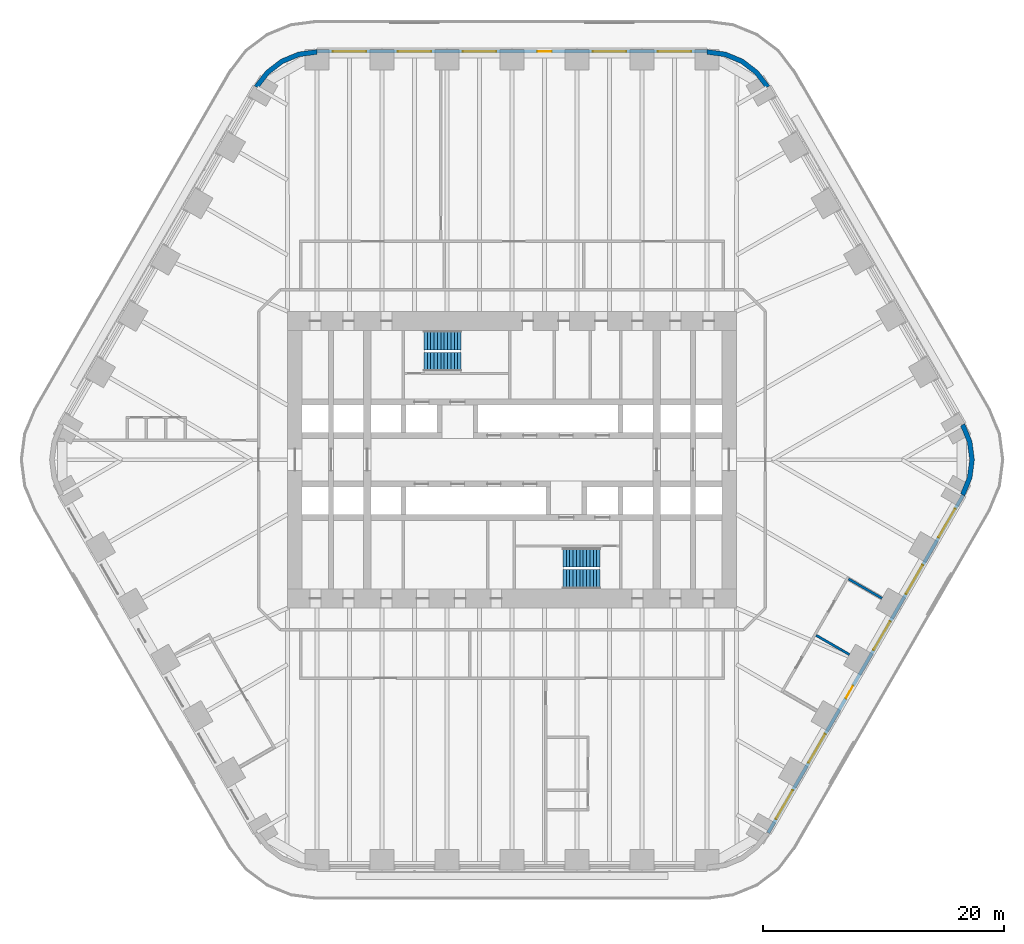
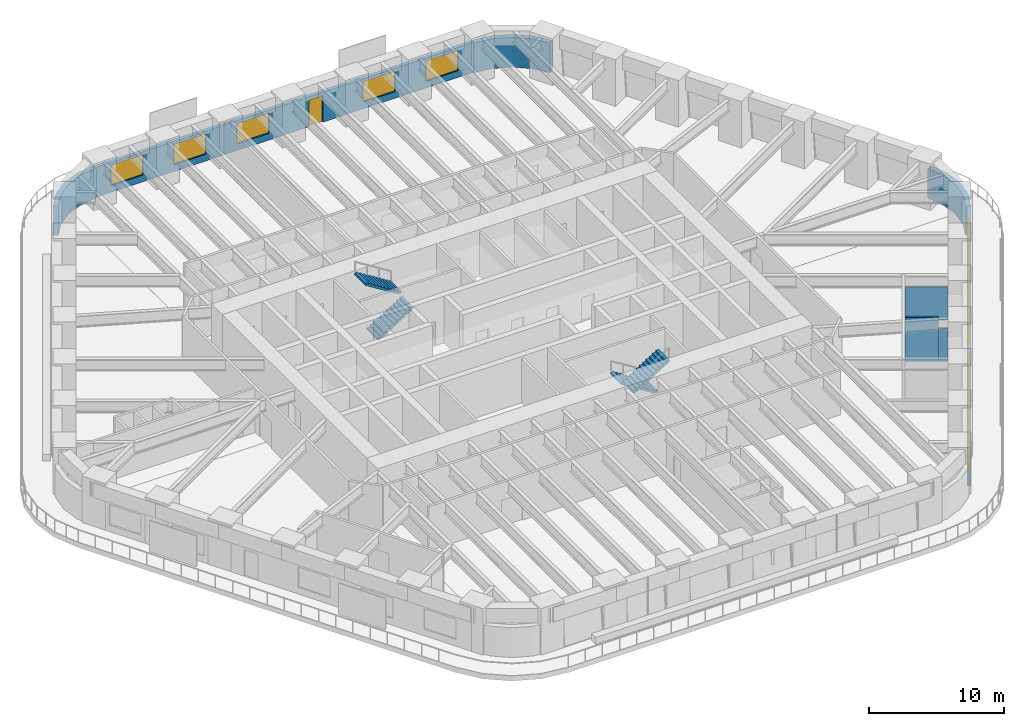
# One storey, part 20 of 23: 10 windows, 8 walls, 4 stair flights, 2 doors, 12 openings, 2 elements without a shape of their own.
"""IFC4 building model written with IfcOpenShell, lengths in metres."""

from ifc_helpers import new_model, si_unit, direction, frame, frame_2d, origin, place, context, subcontext, project, spatial, polyline, rectangle, outline, extrude, material, layer, layer_set, type_object, element, fill, aggregate, save


model = new_model("IFC4")

# Units and contexts
model_context = context("Model", 3, precision=1e-05, world=origin(), true_north=direction((0.0, 1.0)))
body_context = subcontext(model_context, "Body", "Model", "MODEL_VIEW")
ifc_project = project(units=[si_unit("LENGTHUNIT", "METRE"), si_unit("AREAUNIT", "SQUARE_METRE"), si_unit("VOLUMEUNIT", "CUBIC_METRE"), si_unit("PLANEANGLEUNIT", "RADIAN"), si_unit("MASSUNIT", "GRAM", prefix="KILO")], contexts=[model_context])

# Site, building, storey
site_placement = place(None, origin())
site = spatial("IfcSite", under=ifc_project, at=site_placement, CompositionType="ELEMENT")
building_placement = place(site_placement, origin())
building = spatial("IfcBuilding", under=site, at=building_placement, Name="Tarfa Lantern Tower", CompositionType="ELEMENT")
storey_placement = place(building_placement, frame((0.0, 0.0, 82.300048828125)))
storey = spatial("IfcBuildingStorey", under=building, at=storey_placement, Name="L18", CompositionType="ELEMENT", Elevation=82.300048828125)

# Wall, openings, door, windows
ifc_material_1 = material(Name="Limestone cladding on blockwork", Category="masonry")
ifc_layer_1 = layer(ifc_material_1, 0.300048828125)
ifc_layer_set_1 = layer_set([ifc_layer_1], Name="EW1 STONE-CLAD WALL 300")
wall_type_1 = type_object("IfcWallType", Name="EW1 STONE-CLAD WALL 300", PredefinedType="SOLIDWALL", material=ifc_layer_set_1)
wall_1_placement = place(storey_placement, frame((16.165771484375, 33.85009765625, 0.0), z_axis=(0.0, 0.0, 1.0), x_axis=(-1.0, 0.0, 0.0)))
wall_1 = element("IfcWall", 1, at=wall_1_placement, inside=storey, type_object=wall_type_1, Name="Stone wall N", PredefinedType="SOLIDWALL", context=body_context, shape_type="SweptSolid", body=[
    extrude(rectangle(XDim=32.33154296875, YDim=0.300048828125, at=frame_2d((16.165771484375, 0.0))), origin(), (0.0, 0.0, 1.0), 2.699951171875),
])
opening_1_placement = place(wall_1_placement, frame((1.3193359375, 0.0, 0.60009765625)))
opening_1 = element("IfcOpeningElement", 2, at=opening_1_placement, cuts=wall_1, Name="Opening W2", PredefinedType="OPENING", context=body_context, shape_type="SweptSolid", body=[
    extrude(rectangle(XDim=2.75, YDim=1.85009765625, at=frame_2d((1.375, 0.925048828125))), frame((0.0, 0.159912109375, 0.0), z_axis=(0.0, -1.0, 0.0), x_axis=(1.0, 0.0, 0.0)), (0.0, 0.0, 1.0), 0.320068359375),
])
opening_2_placement = place(wall_1_placement, frame((6.7080078125, 0.0, 0.60009765625)))
opening_2 = element("IfcOpeningElement", 3, at=opening_2_placement, cuts=wall_1, Name="Opening W2", PredefinedType="OPENING", context=body_context, shape_type="SweptSolid", body=[
    extrude(rectangle(XDim=2.75, YDim=1.85009765625, at=frame_2d((1.375, 0.925048828125))), frame((0.0, 0.159912109375, 0.0), z_axis=(0.0, -1.0, 0.0), x_axis=(1.0, 0.0, 0.0)), (0.0, 0.0, 1.0), 0.320068359375),
])
opening_3_placement = place(wall_1_placement, frame((12.87158203125, 0.0, 0.0)))
opening_3 = element("IfcOpeningElement", 4, at=opening_3_placement, cuts=wall_1, Name="Opening D47", PredefinedType="OPENING", context=body_context, shape_type="SweptSolid", body=[
    extrude(rectangle(XDim=1.199951171875, YDim=2.39990234375, at=frame_2d((0.60009765625, 1.199951171875))), frame((0.0, 0.159912109375, 0.0), z_axis=(0.0, -1.0, 0.0), x_axis=(1.0, 0.0, 0.0)), (0.0, 0.0, 1.0), 0.320068359375),
])
opening_4_placement = place(wall_1_placement, frame((17.485107421875, 0.0, 0.60009765625)))
opening_4 = element("IfcOpeningElement", 5, at=opening_4_placement, cuts=wall_1, Name="Opening W2", PredefinedType="OPENING", context=body_context, shape_type="SweptSolid", body=[
    extrude(rectangle(XDim=2.75, YDim=1.85009765625, at=frame_2d((1.375, 0.925048828125))), frame((0.0, 0.159912109375, 0.0), z_axis=(0.0, -1.0, 0.0), x_axis=(1.0, 0.0, 0.0)), (0.0, 0.0, 1.0), 0.320068359375),
])
opening_5_placement = place(wall_1_placement, frame((22.873779296875, 0.0, 0.60009765625)))
opening_5 = element("IfcOpeningElement", 6, at=opening_5_placement, cuts=wall_1, Name="Opening W2", PredefinedType="OPENING", context=body_context, shape_type="SweptSolid", body=[
    extrude(rectangle(XDim=2.75, YDim=1.85009765625, at=frame_2d((1.375, 0.925048828125))), frame((0.0, 0.159912109375, 0.0), z_axis=(0.0, -1.0, 0.0), x_axis=(1.0, 0.0, 0.0)), (0.0, 0.0, 1.0), 0.320068359375),
])
opening_6_placement = place(wall_1_placement, frame((28.26220703125, 0.0, 0.60009765625)))
opening_6 = element("IfcOpeningElement", 7, at=opening_6_placement, cuts=wall_1, Name="Opening W2", PredefinedType="OPENING", context=body_context, shape_type="SweptSolid", body=[
    extrude(rectangle(XDim=2.75, YDim=1.85009765625, at=frame_2d((1.375, 0.925048828125))), frame((0.0, 0.159912109375, 0.0), z_axis=(0.0, -1.0, 0.0), x_axis=(1.0, 0.0, 0.0)), (0.0, 0.0, 1.0), 0.320068359375),
])
ifc_material_2 = material(Name="Aluminium framed glazed door", Category="aluminium")
door_type = type_object("IfcDoorType", Name="BE3 BALCONY DOOR 1200x2400", OperationType="SINGLE_SWING_RIGHT", PredefinedType="DOOR", material=ifc_material_2)
door_1_placement = place(opening_3_placement, origin())
door_1 = element("IfcDoor", 8, at=door_1_placement, inside=storey, type_object=door_type, Name="Balcony door N", OperationType="SINGLE_SWING_RIGHT", OverallHeight=2.39990234375, OverallWidth=1.199951171875, PredefinedType="DOOR", context=body_context, shape_type="SweptSolid", body=[
    extrude(rectangle(XDim=1.199951171875, YDim=2.39990234375, at=frame_2d((0.60009765625, 1.199951171875))), frame((0.0, 0.02490234375, 0.0), z_axis=(0.0, -1.0, 0.0), x_axis=(1.0, 0.0, 0.0)), (0.0, 0.0, 1.0), 0.050048828125),
])
fill(opening_3, door_1)
ifc_material_3 = material(Name="Aluminium frame, double glazed", Category="aluminium")
window_type = type_object("IfcWindowType", Name="W2 FULL-HEIGHT GLAZING 2750x1850", PartitioningType="SINGLE_PANEL", PredefinedType="WINDOW", material=ifc_material_3)
window_1_placement = place(opening_1_placement, origin())
window_1 = element("IfcWindow", 9, at=window_1_placement, inside=storey, type_object=window_type, Name="Window N 1", OverallHeight=1.85009765625, OverallWidth=2.75, PartitioningType="SINGLE_PANEL", PredefinedType="WINDOW", context=body_context, shape_type="SweptSolid", body=[
    extrude(rectangle(XDim=2.75, YDim=1.85009765625, at=frame_2d((1.375, 0.925048828125))), frame((0.0, 0.030029296875, 0.0), z_axis=(0.0, -1.0, 0.0), x_axis=(1.0, 0.0, 0.0)), (0.0, 0.0, 1.0), 0.06005859375),
])
fill(opening_1, window_1)
window_2_placement = place(opening_2_placement, origin())
window_2 = element("IfcWindow", 10, at=window_2_placement, inside=storey, type_object=window_type, Name="Window N 2", OverallHeight=1.85009765625, OverallWidth=2.75, PartitioningType="SINGLE_PANEL", PredefinedType="WINDOW", context=body_context, shape_type="SweptSolid", body=[
    extrude(rectangle(XDim=2.75, YDim=1.85009765625, at=frame_2d((1.375, 0.925048828125))), frame((0.0, 0.030029296875, 0.0), z_axis=(0.0, -1.0, 0.0), x_axis=(1.0, 0.0, 0.0)), (0.0, 0.0, 1.0), 0.06005859375),
])
fill(opening_2, window_2)
window_3_placement = place(opening_4_placement, origin())
window_3 = element("IfcWindow", 11, at=window_3_placement, inside=storey, type_object=window_type, Name="Window N 4", OverallHeight=1.85009765625, OverallWidth=2.75, PartitioningType="SINGLE_PANEL", PredefinedType="WINDOW", context=body_context, shape_type="SweptSolid", body=[
    extrude(rectangle(XDim=2.75, YDim=1.85009765625, at=frame_2d((1.375, 0.925048828125))), frame((0.0, 0.030029296875, 0.0), z_axis=(0.0, -1.0, 0.0), x_axis=(1.0, 0.0, 0.0)), (0.0, 0.0, 1.0), 0.06005859375),
])
fill(opening_4, window_3)
window_4_placement = place(opening_5_placement, origin())
window_4 = element("IfcWindow", 12, at=window_4_placement, inside=storey, type_object=window_type, Name="Window N 5", OverallHeight=1.85009765625, OverallWidth=2.75, PartitioningType="SINGLE_PANEL", PredefinedType="WINDOW", context=body_context, shape_type="SweptSolid", body=[
    extrude(rectangle(XDim=2.75, YDim=1.85009765625, at=frame_2d((1.375, 0.925048828125))), frame((0.0, 0.030029296875, 0.0), z_axis=(0.0, -1.0, 0.0), x_axis=(1.0, 0.0, 0.0)), (0.0, 0.0, 1.0), 0.06005859375),
])
fill(opening_5, window_4)
window_5_placement = place(opening_6_placement, origin())
window_5 = element("IfcWindow", 13, at=window_5_placement, inside=storey, type_object=window_type, Name="Window N 6", OverallHeight=1.85009765625, OverallWidth=2.75, PartitioningType="SINGLE_PANEL", PredefinedType="WINDOW", context=body_context, shape_type="SweptSolid", body=[
    extrude(rectangle(XDim=2.75, YDim=1.85009765625, at=frame_2d((1.375, 0.925048828125))), frame((0.0, 0.030029296875, 0.0), z_axis=(0.0, -1.0, 0.0), x_axis=(1.0, 0.0, 0.0)), (0.0, 0.0, 1.0), 0.06005859375),
])
fill(opening_6, window_5)

wall_2_placement = place(storey_placement, frame((21.232177734375, -30.925048828125, 0.0), z_axis=(0.0, 0.0, 1.0), x_axis=(0.499999163675, 0.866025886636, 0.0)))
wall_2 = element("IfcWall", 14, at=wall_2_placement, inside=storey, type_object=wall_type_1, Name="Stone wall SE", PredefinedType="SOLIDWALL", context=body_context, shape_type="SweptSolid", body=[
    extrude(rectangle(XDim=32.33154296875, YDim=0.300048828125, at=frame_2d((16.165771484375, 0.0))), origin(), (0.0, 0.0, 1.0), 2.699951171875),
])
opening_7_placement = place(wall_2_placement, frame((1.3193359375, 0.0, 0.60009765625)))
opening_7 = element("IfcOpeningElement", 15, at=opening_7_placement, cuts=wall_2, Name="Opening W2", PredefinedType="OPENING", context=body_context, shape_type="SweptSolid", body=[
    extrude(rectangle(XDim=2.75, YDim=1.85009765625, at=frame_2d((1.375, 0.925048828125))), frame((0.0, 0.159912109375, 0.0), z_axis=(0.0, -1.0, 0.0), x_axis=(1.0, 0.0, 0.0)), (0.0, 0.0, 1.0), 0.320068359375),
])
opening_8_placement = place(wall_2_placement, frame((6.7080078125, 0.0, 0.60009765625)))
opening_8 = element("IfcOpeningElement", 16, at=opening_8_placement, cuts=wall_2, Name="Opening W2", PredefinedType="OPENING", context=body_context, shape_type="SweptSolid", body=[
    extrude(rectangle(XDim=2.75, YDim=1.85009765625, at=frame_2d((1.375, 0.925048828125))), frame((0.0, 0.159912109375, 0.0), z_axis=(0.0, -1.0, 0.0), x_axis=(1.0, 0.0, 0.0)), (0.0, 0.0, 1.0), 0.320068359375),
])
opening_9_placement = place(wall_2_placement, frame((12.87158203125, 0.0, 0.0)))
opening_9 = element("IfcOpeningElement", 17, at=opening_9_placement, cuts=wall_2, Name="Opening D48", PredefinedType="OPENING", context=body_context, shape_type="SweptSolid", body=[
    extrude(rectangle(XDim=1.199951171875, YDim=2.39990234375, at=frame_2d((0.60009765625, 1.199951171875))), frame((0.0, 0.159912109375, 0.0), z_axis=(0.0, -1.0, 0.0), x_axis=(1.0, 0.0, 0.0)), (0.0, 0.0, 1.0), 0.320068359375),
])
opening_10_placement = place(wall_2_placement, frame((17.485107421875, 0.0, 0.60009765625)))
opening_10 = element("IfcOpeningElement", 18, at=opening_10_placement, cuts=wall_2, Name="Opening W2", PredefinedType="OPENING", context=body_context, shape_type="SweptSolid", body=[
    extrude(rectangle(XDim=2.75, YDim=1.85009765625, at=frame_2d((1.375, 0.925048828125))), frame((0.0, 0.159912109375, 0.0), z_axis=(0.0, -1.0, 0.0), x_axis=(1.0, 0.0, 0.0)), (0.0, 0.0, 1.0), 0.320068359375),
])
opening_11_placement = place(wall_2_placement, frame((22.873779296875, 0.0, 0.60009765625)))
opening_11 = element("IfcOpeningElement", 19, at=opening_11_placement, cuts=wall_2, Name="Opening W2", PredefinedType="OPENING", context=body_context, shape_type="SweptSolid", body=[
    extrude(rectangle(XDim=2.75, YDim=1.85009765625, at=frame_2d((1.375, 0.925048828125))), frame((0.0, 0.159912109375, 0.0), z_axis=(0.0, -1.0, 0.0), x_axis=(1.0, 0.0, 0.0)), (0.0, 0.0, 1.0), 0.320068359375),
])
opening_12_placement = place(wall_2_placement, frame((28.26220703125, 0.0, 0.60009765625)))
opening_12 = element("IfcOpeningElement", 20, at=opening_12_placement, cuts=wall_2, Name="Opening W2", PredefinedType="OPENING", context=body_context, shape_type="SweptSolid", body=[
    extrude(rectangle(XDim=2.75, YDim=1.85009765625, at=frame_2d((1.375, 0.925048828125))), frame((0.0, 0.159912109375, 0.0), z_axis=(0.0, -1.0, 0.0), x_axis=(1.0, 0.0, 0.0)), (0.0, 0.0, 1.0), 0.320068359375),
])
door_2_placement = place(opening_9_placement, origin())
door_2 = element("IfcDoor", 21, at=door_2_placement, inside=storey, type_object=door_type, Name="Balcony door SE", OperationType="SINGLE_SWING_RIGHT", OverallHeight=2.39990234375, OverallWidth=1.199951171875, PredefinedType="DOOR", context=body_context, shape_type="SweptSolid", body=[
    extrude(rectangle(XDim=1.199951171875, YDim=2.39990234375, at=frame_2d((0.60009765625, 1.199951171875))), frame((0.0, 0.02490234375, 0.0), z_axis=(0.0, -1.0, 0.0), x_axis=(1.0, 0.0, 0.0)), (0.0, 0.0, 1.0), 0.050048828125),
])
fill(opening_9, door_2)
window_6_placement = place(opening_7_placement, origin())
window_6 = element("IfcWindow", 22, at=window_6_placement, inside=storey, type_object=window_type, Name="Window SE 1", OverallHeight=1.85009765625, OverallWidth=2.75, PartitioningType="SINGLE_PANEL", PredefinedType="WINDOW", context=body_context, shape_type="SweptSolid", body=[
    extrude(rectangle(XDim=2.75, YDim=1.85009765625, at=frame_2d((1.375, 0.925048828125))), frame((0.0, 0.030029296875, 0.0), z_axis=(0.0, -1.0, 0.0), x_axis=(1.0, 0.0, 0.0)), (0.0, 0.0, 1.0), 0.06005859375),
])
fill(opening_7, window_6)
window_7_placement = place(opening_8_placement, origin())
window_7 = element("IfcWindow", 23, at=window_7_placement, inside=storey, type_object=window_type, Name="Window SE 2", OverallHeight=1.85009765625, OverallWidth=2.75, PartitioningType="SINGLE_PANEL", PredefinedType="WINDOW", context=body_context, shape_type="SweptSolid", body=[
    extrude(rectangle(XDim=2.75, YDim=1.85009765625, at=frame_2d((1.375, 0.925048828125))), frame((0.0, 0.030029296875, 0.0), z_axis=(0.0, -1.0, 0.0), x_axis=(1.0, 0.0, 0.0)), (0.0, 0.0, 1.0), 0.06005859375),
])
fill(opening_8, window_7)
window_8_placement = place(opening_10_placement, origin())
window_8 = element("IfcWindow", 24, at=window_8_placement, inside=storey, type_object=window_type, Name="Window SE 4", OverallHeight=1.85009765625, OverallWidth=2.75, PartitioningType="SINGLE_PANEL", PredefinedType="WINDOW", context=body_context, shape_type="SweptSolid", body=[
    extrude(rectangle(XDim=2.75, YDim=1.85009765625, at=frame_2d((1.375, 0.925048828125))), frame((0.0, 0.030029296875, 0.0), z_axis=(0.0, -1.0, 0.0), x_axis=(1.0, 0.0, 0.0)), (0.0, 0.0, 1.0), 0.06005859375),
])
fill(opening_10, window_8)
window_9_placement = place(opening_11_placement, origin())
window_9 = element("IfcWindow", 25, at=window_9_placement, inside=storey, type_object=window_type, Name="Window SE 5", OverallHeight=1.85009765625, OverallWidth=2.75, PartitioningType="SINGLE_PANEL", PredefinedType="WINDOW", context=body_context, shape_type="SweptSolid", body=[
    extrude(rectangle(XDim=2.75, YDim=1.85009765625, at=frame_2d((1.375, 0.925048828125))), frame((0.0, 0.030029296875, 0.0), z_axis=(0.0, -1.0, 0.0), x_axis=(1.0, 0.0, 0.0)), (0.0, 0.0, 1.0), 0.06005859375),
])
fill(opening_11, window_9)
window_10_placement = place(opening_12_placement, origin())
window_10 = element("IfcWindow", 26, at=window_10_placement, inside=storey, type_object=window_type, Name="Window SE 6", OverallHeight=1.85009765625, OverallWidth=2.75, PartitioningType="SINGLE_PANEL", PredefinedType="WINDOW", context=body_context, shape_type="SweptSolid", body=[
    extrude(rectangle(XDim=2.75, YDim=1.85009765625, at=frame_2d((1.375, 0.925048828125))), frame((0.0, 0.030029296875, 0.0), z_axis=(0.0, -1.0, 0.0), x_axis=(1.0, 0.0, 0.0)), (0.0, 0.0, 1.0), 0.06005859375),
])
fill(opening_12, window_10)

# Walls
ifc_layer_2 = layer(ifc_material_1, 0.39990234375)
ifc_layer_set_2 = layer_set([ifc_layer_2], Name="EW2 CURVED STONE CORNER 400")
wall_type_2 = type_object("IfcWallType", Name="EW2 CURVED STONE CORNER 400", PredefinedType="SOLIDWALL", material=ifc_layer_set_2)
wall_3_placement = place(storey_placement, origin())
element("IfcWall", 27, at=wall_3_placement, inside=storey, type_object=wall_type_2, Name="Stone corner NE-N", PredefinedType="SOLIDWALL", context=body_context, shape_type="SweptSolid", body=[
    extrude(outline(polyline([(21.362060546875, 31.0), (20.408447265625, 32.24267578125), (19.165771484375, 33.196044921875), (17.71875, 33.795654296875), (16.165771484375, 34.0), (16.165771484375, 33.60009765625), (17.615234375, 33.4091796875), (18.9658203125, 32.849853515625), (20.12548828125, 31.959716796875), (21.015625, 30.800048828125), (21.362060546875, 31.0)])), origin(), (0.0, 0.0, 1.0), 2.699951171875),
])
wall_4_placement = place(storey_placement, origin())
element("IfcWall", 28, at=wall_4_placement, inside=storey, type_object=wall_type_2, Name="Stone corner N-NW", PredefinedType="SOLIDWALL", context=body_context, shape_type="SweptSolid", body=[
    extrude(outline(polyline([(-16.165771484375, 34.0), (-17.71875, 33.795654296875), (-19.165771484375, 33.196044921875), (-20.408447265625, 32.24267578125), (-21.362060546875, 31.0), (-21.015625, 30.800048828125), (-20.12548828125, 31.959716796875), (-18.9658203125, 32.849853515625), (-17.615234375, 33.4091796875), (-16.165771484375, 33.60009765625), (-16.165771484375, 34.0)])), origin(), (0.0, 0.0, 1.0), 2.699951171875),
])
wall_5_placement = place(storey_placement, origin())
element("IfcWall", 29, at=wall_5_placement, inside=storey, type_object=wall_type_2, Name="Stone corner SE-NE", PredefinedType="SOLIDWALL", context=body_context, shape_type="SweptSolid", body=[
    extrude(outline(polyline([(37.52783203125, -3.0), (38.127197265625, -1.552978515625), (38.33154296875, 0.0), (38.127197265625, 1.552978515625), (37.52783203125, 3.0), (37.181396484375, 2.800048828125), (37.74072265625, 1.449462890625), (37.931640625, 0.0), (37.74072265625, -1.449462890625), (37.181396484375, -2.800048828125), (37.52783203125, -3.0)])), origin(), (0.0, 0.0, 1.0), 2.699951171875),
])
ifc_material_4 = material(Name="Gypsum board on steel studs", Category="steel")
ifc_layer_3 = layer(ifc_material_4, 0.2099609375)
ifc_layer_set_3 = layer_set([ifc_layer_3], Name="IW2 ACOUSTIC PARTITION 200")
wall_type_3 = type_object("IfcWallType", Name="IW2 ACOUSTIC PARTITION 200", PredefinedType="PARTITIONING", material=ifc_layer_set_3)
wall_6_placement = place(storey_placement, frame((25.201416015625, -14.550048828125, 0.0), z_axis=(0.0, 0.0, 1.0), x_axis=(0.866020232408, -0.500008956979, 0.0)))
element("IfcWall", 30, at=wall_6_placement, inside=storey, type_object=wall_type_3, Name="Partition", PredefinedType="PARTITIONING", context=body_context, shape_type="SweptSolid", body=[
    extrude(rectangle(XDim=2.4833984375, YDim=0.199951171875, at=frame_2d((1.24169921875, 0.0))), origin(), (0.0, 0.0, 1.0), 4.0),
])
wall_7_placement = place(storey_placement, frame((27.35205078125, -15.791748046875, 0.0), z_axis=(0.0, 0.0, 1.0), x_axis=(0.866117509073, -0.499840435016, 0.0)))
element("IfcWall", 31, at=wall_7_placement, inside=storey, type_object=wall_type_3, Name="Partition", PredefinedType="PARTITIONING", context=body_context, shape_type="SweptSolid", body=[
    extrude(rectangle(XDim=0.716552734375, YDim=0.199951171875, at=frame_2d((0.3583984375, 0.0))), origin(), (0.0, 0.0, 1.0), 2.991943359375),
])
wall_8_placement = place(storey_placement, frame((27.895751953125, -9.88330078125, 0.0), z_axis=(0.0, 0.0, 1.0), x_axis=(0.866008981251, -0.500028443584, 0.0)))
element("IfcWall", 32, at=wall_8_placement, inside=storey, type_object=wall_type_3, Name="Partition", PredefinedType="PARTITIONING", context=body_context, shape_type="SweptSolid", body=[
    extrude(rectangle(XDim=3.199951171875, YDim=0.199951171875, at=frame_2d((1.60009765625, 0.0))), origin(), (0.0, 0.0, 1.0), 2.94384765625),
])

# Stair, stair flights
ifc_material_5 = material(Name="Concrete C40/50", Category="concrete")
stair_type = type_object("IfcStairType", Name="ST-T10 HALF-TURN STAIR 4200 RISE", PredefinedType="HALF_TURN_STAIR", material=ifc_material_5)
stair_1_placement = place(storey_placement, origin())
stair_1 = element("IfcStair", 33, at=stair_1_placement, inside=storey, type_object=stair_type, Name="Stair ST1", PredefinedType="HALF_TURN_STAIR")
stair_flight_type = type_object("IfcStairFlightType", Name="SF1 STAIR FLIGHT", PredefinedType="STRAIGHT", material=ifc_material_5)
stair_flight_1_placement = place(storey_placement, frame((-7.300048828125, 8.10009765625, 0.0), z_axis=(0.0, 0.0, 1.0), x_axis=(1.0, 0.0, 0.0)))
stair_flight_1 = element("IfcStairFlight", 34, at=stair_flight_1_placement, type_object=stair_flight_type, Name="ST1 flight 1", NumberOfRisers=12, NumberOfTreads=11, PredefinedType="STRAIGHT", RiserHeight=0.175, TreadLength=0.28, context=body_context, shape_type="SweptSolid", body=[
    extrude(outline(polyline([(0.0, 0.0), (0.0, 0.175048828125), (0.280029296875, 0.175048828125), (0.280029296875, 0.35009765625), (0.56005859375, 0.35009765625), (0.56005859375, 0.52490234375), (0.840087890625, 0.52490234375), (0.840087890625, 0.699951171875), (1.1201171875, 0.699951171875), (1.1201171875, 0.875), (1.39990234375, 0.875), (1.39990234375, 1.050048828125), (1.679931640625, 1.050048828125), (1.679931640625, 1.22509765625), (1.9599609375, 1.22509765625), (1.9599609375, 1.39990234375), (2.239990234375, 1.39990234375), (2.239990234375, 1.574951171875), (2.52001953125, 1.574951171875), (2.52001953125, 1.75), (2.800048828125, 1.75), (2.800048828125, 1.925048828125), (3.080078125, 1.925048828125), (3.080078125, 2.10009765625), (3.080078125, 1.748291015625), (0.28271484375, 0.0), (0.0, 0.0)])), frame((0.0, 0.800048828125, 0.0), z_axis=(0.0, -1.0, 0.0), x_axis=(1.0, 0.0, 0.0)), (0.0, 0.0, 1.0), 1.60009765625),
])
stair_flight_2_placement = place(storey_placement, frame((-4.219970703125, 9.89990234375, 2.099853515625), z_axis=(0.0, 0.0, 1.0), x_axis=(-1.0, 0.0, 0.0)))
stair_flight_2 = element("IfcStairFlight", 35, at=stair_flight_2_placement, type_object=stair_flight_type, Name="ST1 flight 2", NumberOfRisers=12, NumberOfTreads=11, PredefinedType="STRAIGHT", RiserHeight=0.175, TreadLength=0.28, context=body_context, shape_type="SweptSolid", body=[
    extrude(outline(polyline([(0.0, 0.0), (0.0, 0.175048828125), (0.280029296875, 0.175048828125), (0.280029296875, 0.35009765625), (0.56005859375, 0.35009765625), (0.56005859375, 0.52490234375), (0.840087890625, 0.52490234375), (0.840087890625, 0.699951171875), (1.1201171875, 0.699951171875), (1.1201171875, 0.875), (1.39990234375, 0.875), (1.39990234375, 1.050048828125), (1.679931640625, 1.050048828125), (1.679931640625, 1.22509765625), (1.9599609375, 1.22509765625), (1.9599609375, 1.39990234375), (2.239990234375, 1.39990234375), (2.239990234375, 1.574951171875), (2.52001953125, 1.574951171875), (2.52001953125, 1.75), (2.800048828125, 1.75), (2.800048828125, 1.925048828125), (3.080078125, 1.925048828125), (3.080078125, 2.10009765625), (3.080078125, 1.748291015625), (0.28271484375, 0.0), (0.0, 0.0)])), frame((0.0, 0.800048828125, 0.0), z_axis=(0.0, -1.0, 0.0), x_axis=(1.0, 0.0, 0.0)), (0.0, 0.0, 1.0), 1.60009765625),
])
aggregate(stair_1, [stair_flight_1, stair_flight_2])

stair_2_placement = place(storey_placement, origin())
stair_2 = element("IfcStair", 36, at=stair_2_placement, inside=storey, type_object=stair_type, Name="Stair ST2", PredefinedType="HALF_TURN_STAIR")
stair_flight_3_placement = place(storey_placement, frame((7.300048828125, -8.10009765625, 0.0), z_axis=(0.0, 0.0, 1.0), x_axis=(-1.0, 0.0, 0.0)))
stair_flight_3 = element("IfcStairFlight", 37, at=stair_flight_3_placement, type_object=stair_flight_type, Name="ST2 flight 1", NumberOfRisers=12, NumberOfTreads=11, PredefinedType="STRAIGHT", RiserHeight=0.175, TreadLength=0.28, context=body_context, shape_type="SweptSolid", body=[
    extrude(outline(polyline([(0.0, 0.0), (0.0, 0.175048828125), (0.280029296875, 0.175048828125), (0.280029296875, 0.35009765625), (0.56005859375, 0.35009765625), (0.56005859375, 0.52490234375), (0.840087890625, 0.52490234375), (0.840087890625, 0.699951171875), (1.1201171875, 0.699951171875), (1.1201171875, 0.875), (1.39990234375, 0.875), (1.39990234375, 1.050048828125), (1.679931640625, 1.050048828125), (1.679931640625, 1.22509765625), (1.9599609375, 1.22509765625), (1.9599609375, 1.39990234375), (2.239990234375, 1.39990234375), (2.239990234375, 1.574951171875), (2.52001953125, 1.574951171875), (2.52001953125, 1.75), (2.800048828125, 1.75), (2.800048828125, 1.925048828125), (3.080078125, 1.925048828125), (3.080078125, 2.10009765625), (3.080078125, 1.748291015625), (0.28271484375, 0.0), (0.0, 0.0)])), frame((0.0, 0.800048828125, 0.0), z_axis=(0.0, -1.0, 0.0), x_axis=(1.0, 0.0, 0.0)), (0.0, 0.0, 1.0), 1.60009765625),
])
stair_flight_4_placement = place(storey_placement, frame((4.219970703125, -9.89990234375, 2.099853515625), z_axis=(0.0, 0.0, 1.0), x_axis=(1.0, 0.0, 0.0)))
stair_flight_4 = element("IfcStairFlight", 38, at=stair_flight_4_placement, type_object=stair_flight_type, Name="ST2 flight 2", NumberOfRisers=12, NumberOfTreads=11, PredefinedType="STRAIGHT", RiserHeight=0.175, TreadLength=0.28, context=body_context, shape_type="SweptSolid", body=[
    extrude(outline(polyline([(0.0, 0.0), (0.0, 0.175048828125), (0.280029296875, 0.175048828125), (0.280029296875, 0.35009765625), (0.56005859375, 0.35009765625), (0.56005859375, 0.52490234375), (0.840087890625, 0.52490234375), (0.840087890625, 0.699951171875), (1.1201171875, 0.699951171875), (1.1201171875, 0.875), (1.39990234375, 0.875), (1.39990234375, 1.050048828125), (1.679931640625, 1.050048828125), (1.679931640625, 1.22509765625), (1.9599609375, 1.22509765625), (1.9599609375, 1.39990234375), (2.239990234375, 1.39990234375), (2.239990234375, 1.574951171875), (2.52001953125, 1.574951171875), (2.52001953125, 1.75), (2.800048828125, 1.75), (2.800048828125, 1.925048828125), (3.080078125, 1.925048828125), (3.080078125, 2.10009765625), (3.080078125, 1.748291015625), (0.28271484375, 0.0), (0.0, 0.0)])), frame((0.0, 0.800048828125, 0.0), z_axis=(0.0, -1.0, 0.0), x_axis=(1.0, 0.0, 0.0)), (0.0, 0.0, 1.0), 1.60009765625),
])
aggregate(stair_2, [stair_flight_3, stair_flight_4])

save(model, "model.ifc")
